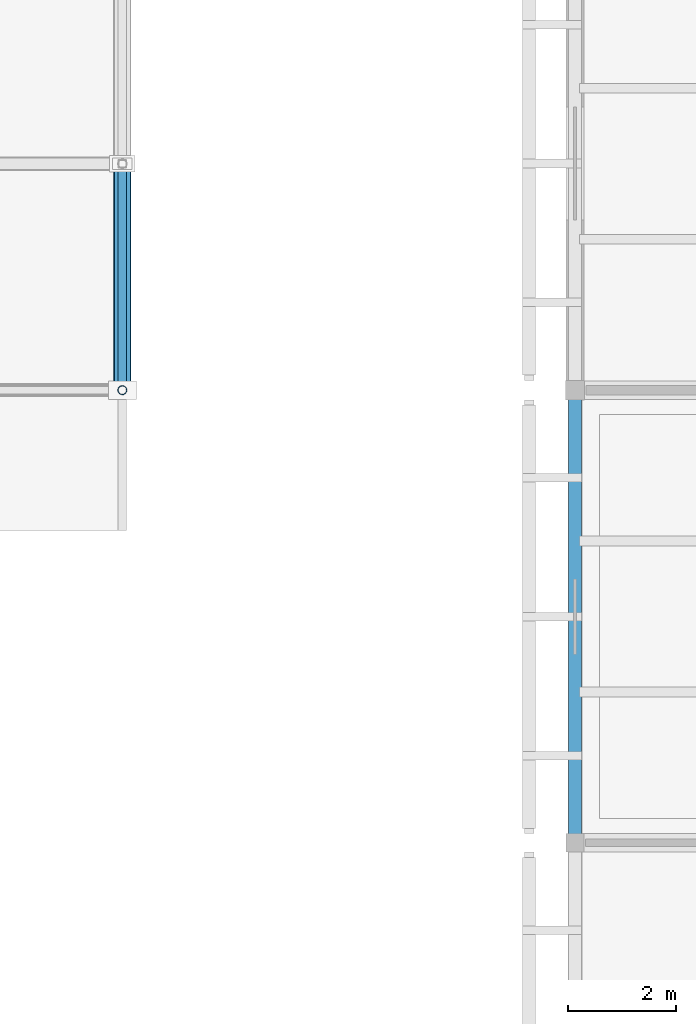
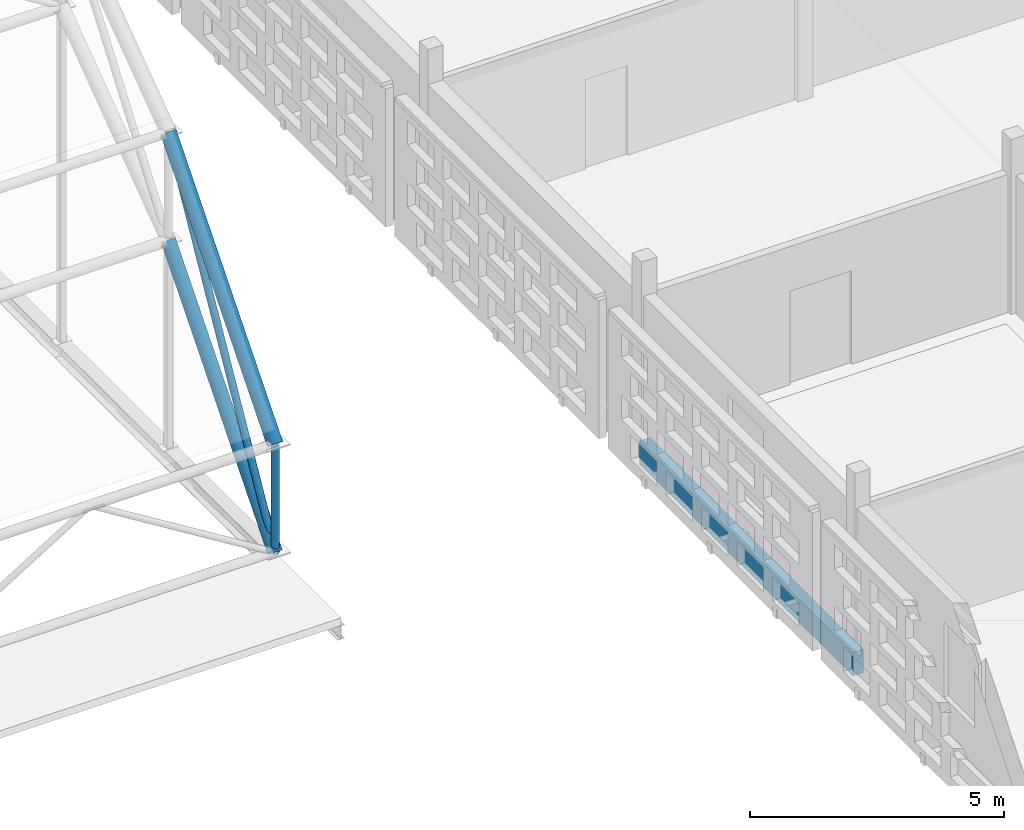
# One storey, part 53 of 103: 3 beams, 2 members.
"""IFC4 building model written with IfcOpenShell, lengths in metres."""

import ifcopenshell
import ifcopenshell.guid

model = None  # the IFC model being written
_history = None  # IfcOwnerHistory: only IFC2X3 demands one
_inside = {}  # id of a spatial element -> (the spatial element, [elements in it])
_under = {}  # id of a project, library or spatial element -> (it, [spatial elements below it])
_declared = {}  # id of a project -> (the project, [libraries it declares])
_typed = {}  # id of a type object -> (the type object, [elements of that type])
_made_of = {}  # id of a material, layer set ... -> (it, [elements and type objects made of it])


def new_model(schema):
    """Start an empty IFC model of exactly this schema.

    Asked for "IFC4X3", IfcOpenShell would pick the latest addendum, in which some entities
    have other attributes; the version numbers below select the first issue.
    IFC2X3 requires an IfcOwnerHistory on every rooted entity: one is made here for all.
    """
    global model, _history
    if schema == "IFC4X3":
        model = ifcopenshell.file(schema_version=(4, 3, 0, 0))
    else:
        model = ifcopenshell.file(schema=schema)
    _inside.clear()
    _under.clear()
    _declared.clear()
    _typed.clear()
    _made_of.clear()
    _history = None
    if model.schema == "IFC2X3":
        org = make("IfcOrganization", Name="unknown")
        user = make(
            "IfcPersonAndOrganization",
            ThePerson=make("IfcPerson", FamilyName="unknown"),
            TheOrganization=org,
        )
        app = make(
            "IfcApplication",
            ApplicationDeveloper=org,
            Version="unknown",
            ApplicationFullName="unknown",
            ApplicationIdentifier="unknown",
        )
        _history = make(
            "IfcOwnerHistory",
            OwningUser=user,
            OwningApplication=app,
            ChangeAction="ADDED",
            CreationDate=0,
        )
    return model


def make(cls, **values):
    """One entity of the class cls with the attributes given. An attribute that is None is left unset."""
    return model.create_entity(
        cls, **{name: value for name, value in values.items() if value is not None}
    )


def rooted(cls, **values):
    """An entity with a GlobalId (a new one), such as an element, a storey or a relation."""
    return make(cls, GlobalId=ifcopenshell.guid.new(), OwnerHistory=_history, **values)


def si_unit(unit_type, name, prefix=None):
    """IfcSIUnit, for example si_unit("LENGTHUNIT", "METRE", prefix="MILLI")."""
    return make("IfcSIUnit", UnitType=unit_type, Prefix=prefix, Name=name)


def assignment(units):
    """IfcUnitAssignment: the units of a project."""
    return None if units is None else make("IfcUnitAssignment", Units=units)


def point(xyz):
    """IfcCartesianPoint."""
    return None if xyz is None else make("IfcCartesianPoint", Coordinates=xyz)


def direction(xyz):
    """IfcDirection."""
    return None if xyz is None else make("IfcDirection", DirectionRatios=xyz)


def frame(location, z_axis=None, x_axis=None):
    """IfcAxis2Placement3D, a coordinate frame: its origin and axes. An axis left out is left unset."""
    return make(
        "IfcAxis2Placement3D",
        Location=point(location),
        Axis=direction(z_axis),
        RefDirection=direction(x_axis),
    )


def frame_2d(location, x_axis=None):
    """IfcAxis2Placement2D, a coordinate frame in the plane: its origin and x axis."""
    return make(
        "IfcAxis2Placement2D", Location=point(location), RefDirection=direction(x_axis)
    )


def origin():
    """The frame at (0, 0, 0) with its axes left unset."""
    return frame((0.0, 0.0, 0.0))


def origin_2d():
    """The frame at (0, 0) in the plane with its x axis left unset."""
    return frame_2d((0.0, 0.0))


def place(relative_to, where):
    """IfcLocalPlacement: puts the frame where relative to a parent placement (None: the world)."""
    return make(
        "IfcLocalPlacement", PlacementRelTo=relative_to, RelativePlacement=where
    )


def context(
    kind, dimensions, precision=None, world=None, true_north=None, identifier=None
):
    """IfcGeometricRepresentationContext, for example the 3D "Model" context."""
    return make(
        "IfcGeometricRepresentationContext",
        ContextIdentifier=identifier,
        ContextType=kind,
        CoordinateSpaceDimension=dimensions,
        Precision=precision,
        WorldCoordinateSystem=world,
        TrueNorth=true_north,
    )


def subcontext(parent, identifier, kind, view, scale=None):
    """IfcGeometricRepresentationSubContext, for example "Body" below "Model"."""
    return make(
        "IfcGeometricRepresentationSubContext",
        ContextIdentifier=identifier,
        ContextType=kind,
        ParentContext=parent,
        TargetScale=scale,
        TargetView=view,
    )


def project(units=None, contexts=None):
    """IfcProject with its units and contexts."""
    return rooted(
        "IfcProject",
        Name="project",
        RepresentationContexts=contexts,
        UnitsInContext=assignment(units),
    )


def spatial(cls, under=None, at=None, **own):
    """A site, building, storey or space (cls), placed at a placement, below another one or the project."""
    s = rooted(cls, ObjectPlacement=at, **own)
    if under is not None:
        _under.setdefault(under.id(), (under, []))[1].append(s)
    return s


def profile(cls, at=None, kind="AREA", **sizes):
    """A parametric profile (cls). Its sizes go by their IFC names, for example OverallWidth=200.0."""
    return make(cls, ProfileType=kind, Position=at, **sizes)


def rectangle(**sizes):
    """IfcRectangleProfileDef."""
    return profile("IfcRectangleProfileDef", **sizes)


def hollow_circle(**sizes):
    """IfcCircleHollowProfileDef."""
    return profile("IfcCircleHollowProfileDef", **sizes)


def extrude(swept, where, along, depth):
    """IfcExtrudedAreaSolid: the profile swept, set in the frame where, extruded along a direction by depth."""
    return make(
        "IfcExtrudedAreaSolid",
        SweptArea=swept,
        Position=where,
        ExtrudedDirection=direction(along),
        Depth=depth,
    )


def shape(context_of_items, identifier, shape_type, items):
    """IfcShapeRepresentation: the items that make up one representation, for example the "Body"."""
    return make(
        "IfcShapeRepresentation",
        ContextOfItems=context_of_items,
        RepresentationIdentifier=identifier,
        RepresentationType=shape_type,
        Items=items,
    )


def material(Name=None, Category=None):
    """IfcMaterial."""
    return make("IfcMaterial", Name=Name, Category=Category)


def material_profile(
    of_material, cross_section, Name=None, Category=None, Priority=None
):
    """IfcMaterialProfile: a cross section and its material."""
    return make(
        "IfcMaterialProfile",
        Name=Name,
        Material=of_material,
        Profile=cross_section,
        Priority=Priority,
        Category=Category,
    )


def profile_set(profiles, Name=None, composite=None):
    """IfcMaterialProfileSet."""
    return make(
        "IfcMaterialProfileSet",
        Name=Name,
        MaterialProfiles=profiles,
        CompositeProfile=composite,
    )


def made_of(thing, what):
    """Note that an element or type object is made of a material, layer set ...; save() writes the relation."""
    if what is not None:
        _made_of.setdefault(what.id(), (what, []))[1].append(thing)
    return thing


def type_object(cls, material=None, **own):
    """A type object (cls), such as IfcWallType, which elements share."""
    return made_of(rooted(cls, **own), material)


def element(
    cls,
    number,
    at=None,
    inside=None,
    cuts=None,
    type_object=None,
    material=None,
    context=None,
    identifier="Body",
    shape_type=None,
    held_by="IfcProductDefinitionShape",
    body=None,
    shapes=None,
    **own,
):
    """One element of the class cls, such as IfcWall. Its Tag is "e" and its number.

    at: its placement. inside: the storey or other place that contains it. cuts: it is an
    opening in that element (IfcRelVoidsElement). A single representation is given by context,
    identifier, shape_type and body (its items); several are given by shapes. held_by: the class
    of the entity that holds the representations. save() writes the other relations.
    """
    e = rooted(cls, Tag="e%d" % number, ObjectPlacement=at, **own)
    if body is not None:
        shapes = [shape(context, identifier, shape_type, body)]
    if shapes is not None:
        e.Representation = make(held_by, Representations=shapes)
    if inside is not None:
        _inside.setdefault(inside.id(), (inside, []))[1].append(e)
    if cuts is not None:
        rooted(
            "IfcRelVoidsElement", RelatingBuildingElement=cuts, RelatedOpeningElement=e
        )
    if type_object is not None:
        _typed.setdefault(type_object.id(), (type_object, []))[1].append(e)
    return made_of(e, material)


def aggregate(whole, parts):
    """IfcRelAggregates: a whole, such as a stair, and the parts it consists of."""
    return rooted("IfcRelAggregates", RelatingObject=whole, RelatedObjects=parts)


def save(model, path):
    """Write the relations noted so far, then the file.

    IfcRelAggregates (storeys below a building ...), IfcRelContainedInSpatialStructure (elements
    in a storey), IfcRelDefinesByType, IfcRelAssociatesMaterial and IfcRelDeclares: one each for
    every whole, place, type object, material and project.
    """
    for whole, parts in _under.values():
        aggregate(whole, parts)
    for where, things in _inside.values():
        rooted(
            "IfcRelContainedInSpatialStructure",
            RelatedElements=things,
            RelatingStructure=where,
        )
    for kind, things in _typed.values():
        rooted("IfcRelDefinesByType", RelatedObjects=things, RelatingType=kind)
    for what, things in _made_of.values():
        rooted("IfcRelAssociatesMaterial", RelatedObjects=things, RelatingMaterial=what)
    for by, libraries in _declared.values():
        rooted("IfcRelDeclares", RelatingContext=by, RelatedDefinitions=libraries)
    model.write(path)


model = new_model("IFC4")

# Units and contexts
model_context = context("Model", 3, precision=1e-05, world=origin(), true_north=direction((0.0, 1.0)))
body_context = subcontext(model_context, "Body", "Model", "MODEL_VIEW")
ifc_project = project(units=[si_unit("LENGTHUNIT", "METRE"), si_unit("AREAUNIT", "SQUARE_METRE"), si_unit("VOLUMEUNIT", "CUBIC_METRE"), si_unit("PLANEANGLEUNIT", "RADIAN"), si_unit("MASSUNIT", "GRAM", prefix="KILO")], contexts=[model_context])

# Site, building, storey
site_placement = place(None, origin())
site = spatial("IfcSite", under=ifc_project, at=site_placement, CompositionType="ELEMENT")
building_placement = place(site_placement, origin())
building = spatial("IfcBuilding", under=site, at=building_placement, Name="Varnapada Polytechnic", CompositionType="ELEMENT")
storey_placement = place(building_placement, frame((0.0, 0.0, 18.0)))
storey = spatial("IfcBuildingStorey", under=building, at=storey_placement, Name="L04", CompositionType="ELEMENT", Elevation=18.0)

# Beams
ifc_material_1 = material(Name="Glulam GL32h", Category="wood")
ifc_material_profile_1 = material_profile(ifc_material_1, rectangle(XDim=0.239990234375, YDim=0.56005859375, at=origin_2d()), Name="GL 240x560")
ifc_profile_set_1 = profile_set([ifc_material_profile_1], Name="Glulam GL32h")
beam_type_1 = type_object("IfcBeamType", Name="Perimeter glulam spandrel beam SP-02 (GL 240x560)", PredefinedType="SPANDREL", material=ifc_profile_set_1)
beam_1_placement = place(storey_placement, frame((142.800048828125, 75.60009765625, -0.5), z_axis=(0.0, 1.0, 0.0), x_axis=(-1.0, 0.0, 0.0)))
element("IfcBeam", 1, at=beam_1_placement, inside=storey, type_object=beam_type_1, Name="L04 beam Y 10-11 at X18", PredefinedType="SPANDREL", context=body_context, shape_type="SweptSolid", body=[
    extrude(rectangle(XDim=0.239990234375, YDim=0.56005859375, at=origin_2d()), origin(), (0.0, 0.0, 1.0), 8.39990234375),
])
ifc_material_2 = material(Name="Steel S355", Category="steel")
ifc_material_profile_2 = material_profile(ifc_material_2, hollow_circle(Radius=0.149169921875, WallThickness=0.010009765625, at=origin_2d()), Name="CHS 298.5x10.0")
ifc_profile_set_2 = profile_set([ifc_material_profile_2], Name="Steel S355")
beam_type_2 = type_object("IfcBeamType", Name="Space frame end-bay arch rib VA-04 (CHS 298.5x10.0)", PredefinedType="BEAM", material=ifc_profile_set_2)
beam_2_placement = place(storey_placement, frame((134.39990234375, 84.0, 0.0), z_axis=(0.0, 0.647032448214, 0.762462465279), x_axis=(-1.0, 0.0, 0.0)))
element("IfcBeam", 2, at=beam_2_placement, inside=storey, type_object=beam_type_2, Name="Vaulted space frame bottom arch chord 11.1", PredefinedType="BEAM", context=body_context, shape_type="SweptSolid", body=[
    extrude(hollow_circle(Radius=0.149169921875, WallThickness=0.010009765625, at=origin_2d()), origin(), (0.0, 0.0, 1.0), 6.4912109375),
])

# Members
ifc_material_profile_3 = material_profile(ifc_material_2, hollow_circle(Radius=0.07958984375, WallThickness=0.00634765625, at=origin_2d()), Name="CHS 159.0x6.3")
ifc_profile_set_3 = profile_set([ifc_material_profile_3], Name="Steel S355")
member_type_1 = type_object("IfcMemberType", Name="Space frame perimeter web diagonal SFB-03 (CHS 159.0x6.3)", PredefinedType="BRACE", material=ifc_profile_set_3)
member_1_placement = place(storey_placement, frame((134.39990234375, 84.0, 0.0), z_axis=(0.0, 0.486175535898, 0.873861172209), x_axis=(-1.0, 0.0, 0.0)))
element("IfcMember", 3, at=member_1_placement, inside=storey, type_object=member_type_1, Name="Vaulted space frame web diagonal 11.1", PredefinedType="BRACE", context=body_context, shape_type="SweptSolid", body=[
    extrude(hollow_circle(Radius=0.07958984375, WallThickness=0.00634765625, at=origin_2d()), origin(), (0.0, 0.0, 1.0), 8.638671875),
])
ifc_material_profile_4 = material_profile(ifc_material_2, hollow_circle(Radius=0.084228515625, WallThickness=0.00634765625, at=origin_2d()), Name="CHS 168.3x6.3")
ifc_profile_set_4 = profile_set([ifc_material_profile_4], Name="Steel S355")
member_type_2 = type_object("IfcMemberType", Name="Vaulted space frame radial web strut SFS-01 (CHS 168.3x6.3)", PredefinedType="STRUT", material=ifc_profile_set_4)
member_2_placement = place(storey_placement, frame((134.39990234375, 84.0, 0.0), z_axis=(0.0, 0.0, 1.0), x_axis=(1.0, 0.0, 0.0)))
element("IfcMember", 4, at=member_2_placement, inside=storey, type_object=member_type_2, Name="Vaulted space frame strut 11.1", PredefinedType="STRUT", context=body_context, shape_type="SweptSolid", body=[
    extrude(hollow_circle(Radius=0.084228515625, WallThickness=0.00634765625, at=origin_2d()), origin(), (0.0, 0.0, 1.0), 2.60009765625),
])

# Beam
ifc_material_profile_5 = material_profile(ifc_material_2, hollow_circle(Radius=0.161865234375, WallThickness=0.010009765625, at=origin_2d()), Name="CHS 323.9x10.0")
ifc_profile_set_5 = profile_set([ifc_material_profile_5], Name="Steel S355")
beam_type_3 = type_object("IfcBeamType", Name="Vaulted space frame upper arch rib VA-02 (CHS 323.9x10.0)", PredefinedType="BEAM", material=ifc_profile_set_5)
beam_3_placement = place(storey_placement, frame((134.39990234375, 84.0, 2.60009765625), z_axis=(0.0, 0.647051003787, 0.762446718465), x_axis=(-1.0, 0.0, 0.0)))
element("IfcBeam", 5, at=beam_3_placement, inside=storey, type_object=beam_type_3, Name="Vaulted space frame top arch chord 11.1", PredefinedType="BEAM", context=body_context, shape_type="SweptSolid", body=[
    extrude(hollow_circle(Radius=0.161865234375, WallThickness=0.010009765625, at=origin_2d()), origin(), (0.0, 0.0, 1.0), 6.490966796875),
])

save(model, "model.ifc")
